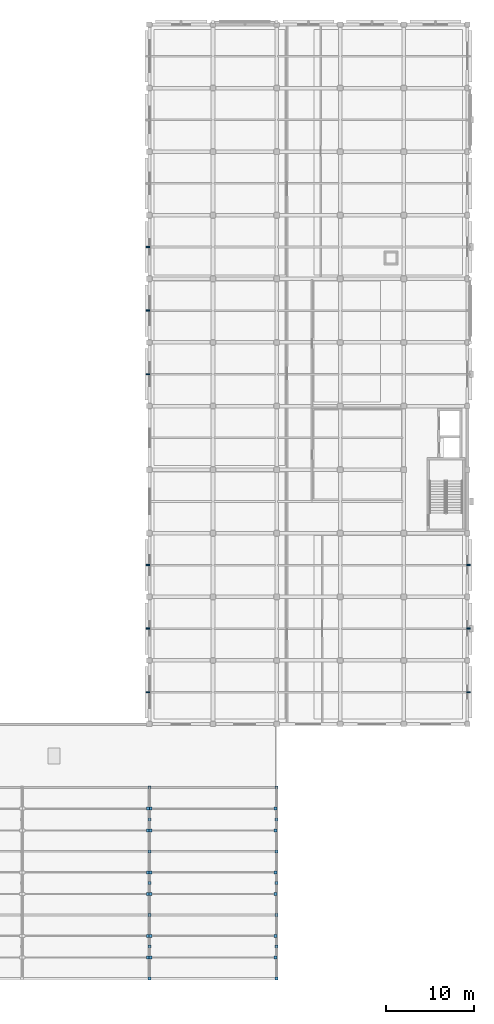
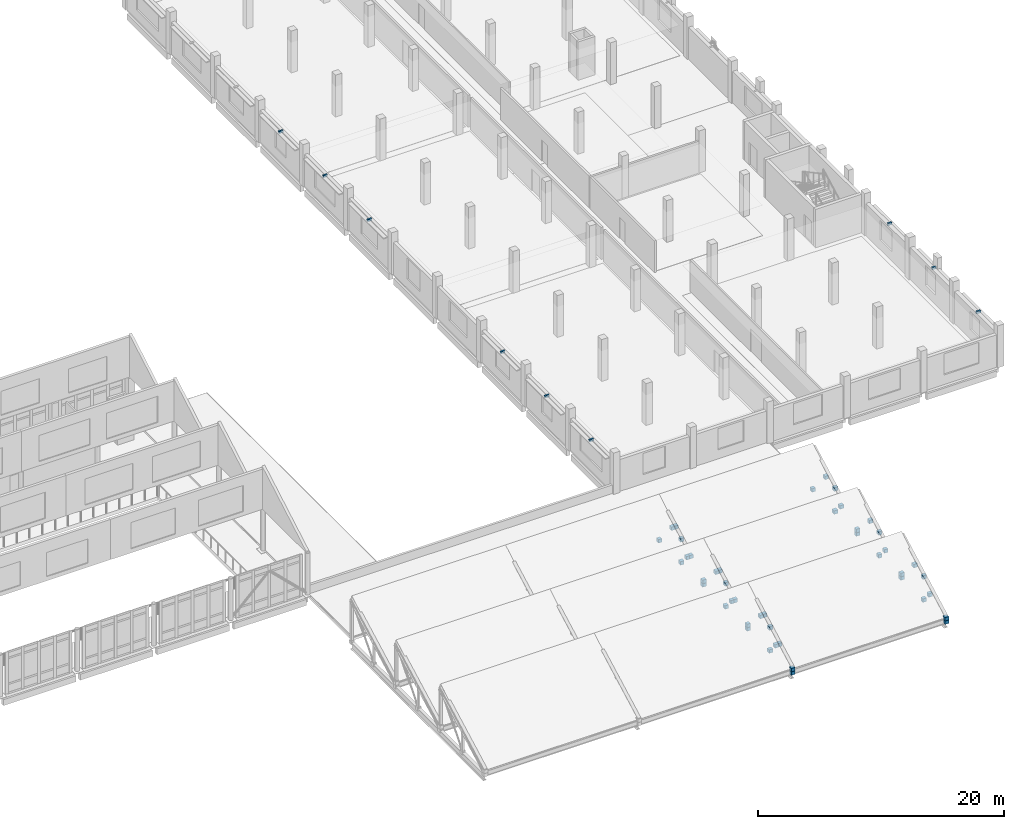
# One storey, part 53 of 62: 53 discrete accessories.
"""IFC4 building model written with IfcOpenShell, lengths in metres."""

import ifcopenshell
import ifcopenshell.guid

model = None  # the IFC model being written
_history = None  # IfcOwnerHistory: only IFC2X3 demands one
_inside = {}  # id of a spatial element -> (the spatial element, [elements in it])
_under = {}  # id of a project, library or spatial element -> (it, [spatial elements below it])
_declared = {}  # id of a project -> (the project, [libraries it declares])
_typed = {}  # id of a type object -> (the type object, [elements of that type])
_made_of = {}  # id of a material, layer set ... -> (it, [elements and type objects made of it])


def new_model(schema):
    """Start an empty IFC model of exactly this schema.

    Asked for "IFC4X3", IfcOpenShell would pick the latest addendum, in which some entities
    have other attributes; the version numbers below select the first issue.
    IFC2X3 requires an IfcOwnerHistory on every rooted entity: one is made here for all.
    """
    global model, _history
    if schema == "IFC4X3":
        model = ifcopenshell.file(schema_version=(4, 3, 0, 0))
    else:
        model = ifcopenshell.file(schema=schema)
    _inside.clear()
    _under.clear()
    _declared.clear()
    _typed.clear()
    _made_of.clear()
    _history = None
    if model.schema == "IFC2X3":
        org = make("IfcOrganization", Name="unknown")
        user = make(
            "IfcPersonAndOrganization",
            ThePerson=make("IfcPerson", FamilyName="unknown"),
            TheOrganization=org,
        )
        app = make(
            "IfcApplication",
            ApplicationDeveloper=org,
            Version="unknown",
            ApplicationFullName="unknown",
            ApplicationIdentifier="unknown",
        )
        _history = make(
            "IfcOwnerHistory",
            OwningUser=user,
            OwningApplication=app,
            ChangeAction="ADDED",
            CreationDate=0,
        )
    return model


def make(cls, **values):
    """One entity of the class cls with the attributes given. An attribute that is None is left unset."""
    return model.create_entity(
        cls, **{name: value for name, value in values.items() if value is not None}
    )


def rooted(cls, **values):
    """An entity with a GlobalId (a new one), such as an element, a storey or a relation."""
    return make(cls, GlobalId=ifcopenshell.guid.new(), OwnerHistory=_history, **values)


def si_unit(unit_type, name, prefix=None):
    """IfcSIUnit, for example si_unit("LENGTHUNIT", "METRE", prefix="MILLI")."""
    return make("IfcSIUnit", UnitType=unit_type, Prefix=prefix, Name=name)


def assignment(units):
    """IfcUnitAssignment: the units of a project."""
    return None if units is None else make("IfcUnitAssignment", Units=units)


def point(xyz):
    """IfcCartesianPoint."""
    return None if xyz is None else make("IfcCartesianPoint", Coordinates=xyz)


def direction(xyz):
    """IfcDirection."""
    return None if xyz is None else make("IfcDirection", DirectionRatios=xyz)


def frame(location, z_axis=None, x_axis=None):
    """IfcAxis2Placement3D, a coordinate frame: its origin and axes. An axis left out is left unset."""
    return make(
        "IfcAxis2Placement3D",
        Location=point(location),
        Axis=direction(z_axis),
        RefDirection=direction(x_axis),
    )


def frame_2d(location, x_axis=None):
    """IfcAxis2Placement2D, a coordinate frame in the plane: its origin and x axis."""
    return make(
        "IfcAxis2Placement2D", Location=point(location), RefDirection=direction(x_axis)
    )


def origin():
    """The frame at (0, 0, 0) with its axes left unset."""
    return frame((0.0, 0.0, 0.0))


def origin_2d():
    """The frame at (0, 0) in the plane with its x axis left unset."""
    return frame_2d((0.0, 0.0))


def place(relative_to, where):
    """IfcLocalPlacement: puts the frame where relative to a parent placement (None: the world)."""
    return make(
        "IfcLocalPlacement", PlacementRelTo=relative_to, RelativePlacement=where
    )


def context(
    kind, dimensions, precision=None, world=None, true_north=None, identifier=None
):
    """IfcGeometricRepresentationContext, for example the 3D "Model" context."""
    return make(
        "IfcGeometricRepresentationContext",
        ContextIdentifier=identifier,
        ContextType=kind,
        CoordinateSpaceDimension=dimensions,
        Precision=precision,
        WorldCoordinateSystem=world,
        TrueNorth=true_north,
    )


def subcontext(parent, identifier, kind, view, scale=None):
    """IfcGeometricRepresentationSubContext, for example "Body" below "Model"."""
    return make(
        "IfcGeometricRepresentationSubContext",
        ContextIdentifier=identifier,
        ContextType=kind,
        ParentContext=parent,
        TargetScale=scale,
        TargetView=view,
    )


def project(units=None, contexts=None):
    """IfcProject with its units and contexts."""
    return rooted(
        "IfcProject",
        Name="project",
        RepresentationContexts=contexts,
        UnitsInContext=assignment(units),
    )


def spatial(cls, under=None, at=None, **own):
    """A site, building, storey or space (cls), placed at a placement, below another one or the project."""
    s = rooted(cls, ObjectPlacement=at, **own)
    if under is not None:
        _under.setdefault(under.id(), (under, []))[1].append(s)
    return s


def profile(cls, at=None, kind="AREA", **sizes):
    """A parametric profile (cls). Its sizes go by their IFC names, for example OverallWidth=200.0."""
    return make(cls, ProfileType=kind, Position=at, **sizes)


def rectangle(**sizes):
    """IfcRectangleProfileDef."""
    return profile("IfcRectangleProfileDef", **sizes)


def extrude(swept, where, along, depth):
    """IfcExtrudedAreaSolid: the profile swept, set in the frame where, extruded along a direction by depth."""
    return make(
        "IfcExtrudedAreaSolid",
        SweptArea=swept,
        Position=where,
        ExtrudedDirection=direction(along),
        Depth=depth,
    )


def shape(context_of_items, identifier, shape_type, items):
    """IfcShapeRepresentation: the items that make up one representation, for example the "Body"."""
    return make(
        "IfcShapeRepresentation",
        ContextOfItems=context_of_items,
        RepresentationIdentifier=identifier,
        RepresentationType=shape_type,
        Items=items,
    )


def material(Name=None, Category=None):
    """IfcMaterial."""
    return make("IfcMaterial", Name=Name, Category=Category)


def made_of(thing, what):
    """Note that an element or type object is made of a material, layer set ...; save() writes the relation."""
    if what is not None:
        _made_of.setdefault(what.id(), (what, []))[1].append(thing)
    return thing


def type_object(cls, material=None, **own):
    """A type object (cls), such as IfcWallType, which elements share."""
    return made_of(rooted(cls, **own), material)


def element(
    cls,
    number,
    at=None,
    inside=None,
    cuts=None,
    type_object=None,
    material=None,
    context=None,
    identifier="Body",
    shape_type=None,
    held_by="IfcProductDefinitionShape",
    body=None,
    shapes=None,
    **own,
):
    """One element of the class cls, such as IfcWall. Its Tag is "e" and its number.

    at: its placement. inside: the storey or other place that contains it. cuts: it is an
    opening in that element (IfcRelVoidsElement). A single representation is given by context,
    identifier, shape_type and body (its items); several are given by shapes. held_by: the class
    of the entity that holds the representations. save() writes the other relations.
    """
    e = rooted(cls, Tag="e%d" % number, ObjectPlacement=at, **own)
    if body is not None:
        shapes = [shape(context, identifier, shape_type, body)]
    if shapes is not None:
        e.Representation = make(held_by, Representations=shapes)
    if inside is not None:
        _inside.setdefault(inside.id(), (inside, []))[1].append(e)
    if cuts is not None:
        rooted(
            "IfcRelVoidsElement", RelatingBuildingElement=cuts, RelatedOpeningElement=e
        )
    if type_object is not None:
        _typed.setdefault(type_object.id(), (type_object, []))[1].append(e)
    return made_of(e, material)


def aggregate(whole, parts):
    """IfcRelAggregates: a whole, such as a stair, and the parts it consists of."""
    return rooted("IfcRelAggregates", RelatingObject=whole, RelatedObjects=parts)


def save(model, path):
    """Write the relations noted so far, then the file.

    IfcRelAggregates (storeys below a building ...), IfcRelContainedInSpatialStructure (elements
    in a storey), IfcRelDefinesByType, IfcRelAssociatesMaterial and IfcRelDeclares: one each for
    every whole, place, type object, material and project.
    """
    for whole, parts in _under.values():
        aggregate(whole, parts)
    for where, things in _inside.values():
        rooted(
            "IfcRelContainedInSpatialStructure",
            RelatedElements=things,
            RelatingStructure=where,
        )
    for kind, things in _typed.values():
        rooted("IfcRelDefinesByType", RelatedObjects=things, RelatingType=kind)
    for what, things in _made_of.values():
        rooted("IfcRelAssociatesMaterial", RelatedObjects=things, RelatingMaterial=what)
    for by, libraries in _declared.values():
        rooted("IfcRelDeclares", RelatingContext=by, RelatedDefinitions=libraries)
    model.write(path)


model = new_model("IFC4")

# Units and contexts
model_context = context("Model", 3, precision=1e-05, world=origin(), true_north=direction((0.0, 1.0)))
body_context = subcontext(model_context, "Body", "Model", "MODEL_VIEW")
ifc_project = project(units=[si_unit("LENGTHUNIT", "METRE"), si_unit("AREAUNIT", "SQUARE_METRE"), si_unit("VOLUMEUNIT", "CUBIC_METRE"), si_unit("PLANEANGLEUNIT", "RADIAN"), si_unit("MASSUNIT", "GRAM", prefix="KILO")], contexts=[model_context])

# Site, building, storey
site_placement = place(None, origin())
site = spatial("IfcSite", under=ifc_project, at=site_placement, CompositionType="ELEMENT")
building_placement = place(site_placement, origin())
building = spatial("IfcBuilding", under=site, at=building_placement, Name="Valkovuoma Quantum and Materials Research Institute", CompositionType="ELEMENT")
storey_placement = place(building_placement, frame((0.0, 0.0, 13.1201171875)))
storey = spatial("IfcBuildingStorey", under=building, at=storey_placement, Name="L03", CompositionType="ELEMENT", Elevation=13.1201171875)

# Discrete accessories
ifc_material_1 = material(Name="Steel S355J2", Category="steel")
discrete_accessory_type_1 = type_object("IfcDiscreteAccessoryType", Name="Brk-BRK-01", PredefinedType="BRACKET", material=ifc_material_1)
for number, where, z_axis, x_axis, name in (
    (1, (165.739990234375, 39.60009765625, 2.93994140625), (0.0, 0.0, 1.0), (1.0, 0.0, 0.0), "L03 sunshade bracket 00659"),
    (2, (129.4599609375, 39.60009765625, 2.93994140625), (0.0, 0.0, 1.0), (1.0, 0.0, 0.0), "L03 sunshade bracket 00660"),
    (3, (165.739990234375, 46.800048828125, 2.93994140625), (0.0, 0.0, 1.0), (1.0, 0.0, 0.0), "L03 sunshade bracket 00661"),
    (4, (129.4599609375, 46.800048828125, 2.93994140625), (0.0, 0.0, 1.0), (1.0, 0.0, 0.0), "L03 sunshade bracket 00662"),
    (5, (165.739990234375, 54.0, 2.93994140625), (0.0, 0.0, 1.0), (1.0, 0.0, 0.0), "L03 sunshade bracket 00663"),
    (6, (129.4599609375, 54.0, 2.93994140625), (0.0, 0.0, 1.0), (1.0, 0.0, 0.0), "L03 sunshade bracket 00664"),
    (7, (129.4599609375, 75.60009765625, 2.93994140625), (0.0, 0.0, 1.0), (1.0, 0.0, 0.0), "L03 sunshade bracket 00666"),
    (8, (129.4599609375, 82.800048828125, 2.93994140625), (0.0, 0.0, 1.0), (1.0, 0.0, 0.0), "L03 sunshade bracket 00668"),
    (9, (129.4599609375, 90.0, 2.93994140625), (0.0, 0.0, 1.0), (1.0, 0.0, 0.0), "L03 sunshade bracket 00670"),
):
    element("IfcDiscreteAccessory", number, at=place(storey_placement, frame(where, z_axis=z_axis, x_axis=x_axis)), inside=storey, type_object=discrete_accessory_type_1, Name=name, PredefinedType="BRACKET", context=body_context, shape_type="SweptSolid", body=[
        extrude(rectangle(XDim=0.39990234375, YDim=0.159912109375, at=origin_2d()), origin(), (0.0, 0.0, 1.0), 0.219970703125),
    ])
ifc_material_2 = material(Name="Steel S355J2", Category="steel")
discrete_accessory_type_2 = type_object("IfcDiscreteAccessoryType", Name="Conn-END-01", PredefinedType="BRACKET", material=ifc_material_2)
for number, where, z_axis, x_axis, name in (
    (10, (129.60009765625, 7.199951171875, -0.169921875), (0.0, 0.0, 1.0), (1.0, 0.0, 0.0), "L03 brace end connection assembly 0071"),
    (11, (129.60009765625, 14.39990234375, -0.52001953125), (0.0, 0.0, 1.0), (1.0, 0.0, 0.0), "L03 brace end connection assembly 0072"),
    (12, (129.60009765625, 10.800048828125, -0.52001953125), (0.0, 0.0, 1.0), (1.0, 0.0, 0.0), "L03 brace end connection assembly 0073"),
    (13, (129.60009765625, 10.800048828125, 1.7548828125), (0.0, 0.0, 1.0), (1.0, 0.0, 0.0), "L03 brace end connection assembly 0074"),
    (14, (129.60009765625, 7.199951171875, -0.52001953125), (0.0, 0.0, 1.0), (1.0, 0.0, 0.0), "L03 brace end connection assembly 0075"),
    (15, (129.60009765625, 14.39990234375, -0.169921875), (0.0, 0.0, 1.0), (1.0, 0.0, 0.0), "L03 brace end connection assembly 0076"),
    (16, (129.60009765625, 21.60009765625, -0.52001953125), (0.0, 0.0, 1.0), (1.0, 0.0, 0.0), "L03 brace end connection assembly 0077"),
    (17, (129.60009765625, 18.0, -0.52001953125), (0.0, 0.0, 1.0), (1.0, 0.0, 0.0), "L03 brace end connection assembly 0078"),
    (18, (129.60009765625, 18.0, 1.7548828125), (0.0, 0.0, 1.0), (1.0, 0.0, 0.0), "L03 brace end connection assembly 0079"),
    (19, (129.60009765625, 21.60009765625, -0.169921875), (0.0, 0.0, 1.0), (1.0, 0.0, 0.0), "L03 brace end connection assembly 0080"),
    (20, (129.60009765625, 28.800048828125, -0.52001953125), (0.0, 0.0, 1.0), (1.0, 0.0, 0.0), "L03 brace end connection assembly 0081"),
    (21, (129.60009765625, 25.199951171875, -0.52001953125), (0.0, 0.0, 1.0), (1.0, 0.0, 0.0), "L03 brace end connection assembly 0082"),
    (22, (129.60009765625, 25.199951171875, 1.7548828125), (0.0, 0.0, 1.0), (1.0, 0.0, 0.0), "L03 brace end connection assembly 0083"),
    (23, (144.0, 7.199951171875, -0.169921875), (0.0, 0.0, 1.0), (1.0, 0.0, 0.0), "L03 brace end connection assembly 0084"),
    (24, (144.0, 14.39990234375, -0.52001953125), (0.0, 0.0, 1.0), (1.0, 0.0, 0.0), "L03 brace end connection assembly 0085"),
    (25, (144.0, 10.800048828125, -0.52001953125), (0.0, 0.0, 1.0), (1.0, 0.0, 0.0), "L03 brace end connection assembly 0086"),
    (26, (144.0, 10.800048828125, 1.7548828125), (0.0, 0.0, 1.0), (1.0, 0.0, 0.0), "L03 brace end connection assembly 0087"),
    (27, (144.0, 7.199951171875, -0.52001953125), (0.0, 0.0, 1.0), (1.0, 0.0, 0.0), "L03 brace end connection assembly 0088"),
    (28, (144.0, 14.39990234375, -0.169921875), (0.0, 0.0, 1.0), (1.0, 0.0, 0.0), "L03 brace end connection assembly 0089"),
    (29, (144.0, 21.60009765625, -0.52001953125), (0.0, 0.0, 1.0), (1.0, 0.0, 0.0), "L03 brace end connection assembly 0090"),
    (30, (144.0, 18.0, -0.52001953125), (0.0, 0.0, 1.0), (1.0, 0.0, 0.0), "L03 brace end connection assembly 0091"),
    (31, (144.0, 18.0, 1.7548828125), (0.0, 0.0, 1.0), (1.0, 0.0, 0.0), "L03 brace end connection assembly 0092"),
    (32, (144.0, 21.60009765625, -0.169921875), (0.0, 0.0, 1.0), (1.0, 0.0, 0.0), "L03 brace end connection assembly 0093"),
    (33, (144.0, 28.800048828125, -0.52001953125), (0.0, 0.0, 1.0), (1.0, 0.0, 0.0), "L03 brace end connection assembly 0094"),
    (34, (144.0, 25.199951171875, -0.52001953125), (0.0, 0.0, 1.0), (1.0, 0.0, 0.0), "L03 brace end connection assembly 0095"),
    (35, (144.0, 25.199951171875, 1.7548828125), (0.0, 0.0, 1.0), (1.0, 0.0, 0.0), "L03 brace end connection assembly 0096"),
    (36, (129.449951171875, 9.575927734375, 0.78125), (0.0, 0.0, 1.0), (1.0, 0.0, 0.0), "L03 brace end connection assembly 0102"),
    (37, (129.449951171875, 12.02392578125, 2.208984375), (0.0, 0.0, 1.0), (1.0, 0.0, 0.0), "L03 brace end connection assembly 0104"),
    (38, (129.75, 9.575927734375, 0.78125), (0.0, 0.0, 1.0), (1.0, 0.0, 0.0), "L03 brace end connection assembly 0105"),
    (39, (143.85009765625, 9.575927734375, 0.78125), (0.0, 0.0, 1.0), (1.0, 0.0, 0.0), "L03 brace end connection assembly 0106"),
    (40, (129.75, 12.02392578125, 2.208984375), (0.0, 0.0, 1.0), (1.0, 0.0, 0.0), "L03 brace end connection assembly 0107"),
    (41, (143.85009765625, 12.02392578125, 2.208984375), (0.0, 0.0, 1.0), (1.0, 0.0, 0.0), "L03 brace end connection assembly 0108"),
    (42, (129.449951171875, 16.77587890625, 0.78125), (0.0, 0.0, 1.0), (1.0, 0.0, 0.0), "L03 brace end connection assembly 0114"),
    (43, (129.449951171875, 19.22412109375, 2.208984375), (0.0, 0.0, 1.0), (1.0, 0.0, 0.0), "L03 brace end connection assembly 0116"),
    (44, (129.75, 16.77587890625, 0.78125), (0.0, 0.0, 1.0), (1.0, 0.0, 0.0), "L03 brace end connection assembly 0117"),
    (45, (143.85009765625, 16.77587890625, 0.78125), (0.0, 0.0, 1.0), (1.0, 0.0, 0.0), "L03 brace end connection assembly 0118"),
    (46, (129.75, 19.22412109375, 2.208984375), (0.0, 0.0, 1.0), (1.0, 0.0, 0.0), "L03 brace end connection assembly 0119"),
    (47, (143.85009765625, 19.22412109375, 2.208984375), (0.0, 0.0, 1.0), (1.0, 0.0, 0.0), "L03 brace end connection assembly 0120"),
    (48, (129.449951171875, 23.97607421875, 0.78125), (0.0, 0.0, 1.0), (1.0, 0.0, 0.0), "L03 brace end connection assembly 0126"),
    (49, (129.449951171875, 26.424072265625, 2.208984375), (0.0, 0.0, 1.0), (1.0, 0.0, 0.0), "L03 brace end connection assembly 0128"),
    (50, (129.75, 23.97607421875, 0.78125), (0.0, 0.0, 1.0), (1.0, 0.0, 0.0), "L03 brace end connection assembly 0129"),
    (51, (143.85009765625, 23.97607421875, 0.78125), (0.0, 0.0, 1.0), (1.0, 0.0, 0.0), "L03 brace end connection assembly 0130"),
    (52, (129.75, 26.424072265625, 2.208984375), (0.0, 0.0, 1.0), (1.0, 0.0, 0.0), "L03 brace end connection assembly 0131"),
    (53, (143.85009765625, 26.424072265625, 2.208984375), (0.0, 0.0, 1.0), (1.0, 0.0, 0.0), "L03 brace end connection assembly 0132"),
):
    element("IfcDiscreteAccessory", number, at=place(storey_placement, frame(where, z_axis=z_axis, x_axis=x_axis)), inside=storey, type_object=discrete_accessory_type_2, Name=name, PredefinedType="BRACKET", context=body_context, shape_type="SweptSolid", body=[
        extrude(rectangle(XDim=0.340087890625, YDim=0.340087890625, at=origin_2d()), origin(), (0.0, 0.0, 1.0), 0.340087890625),
    ])

save(model, "model.ifc")
